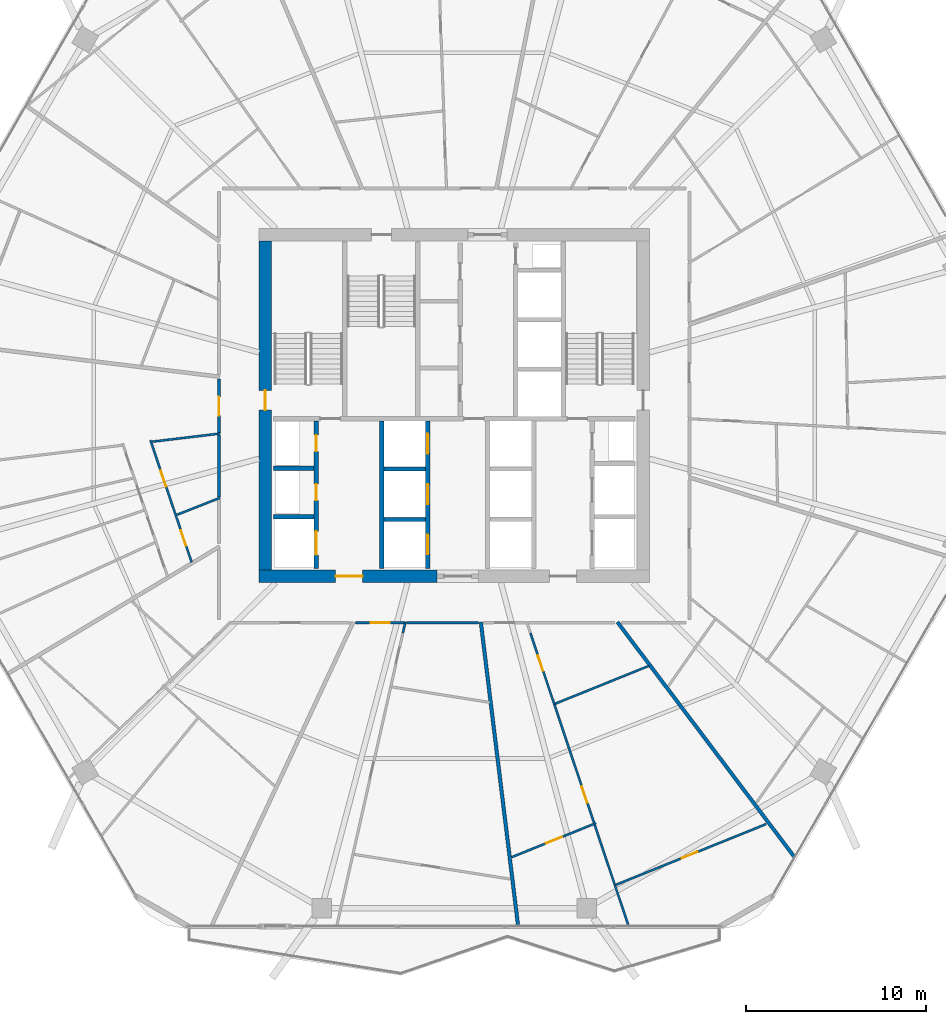
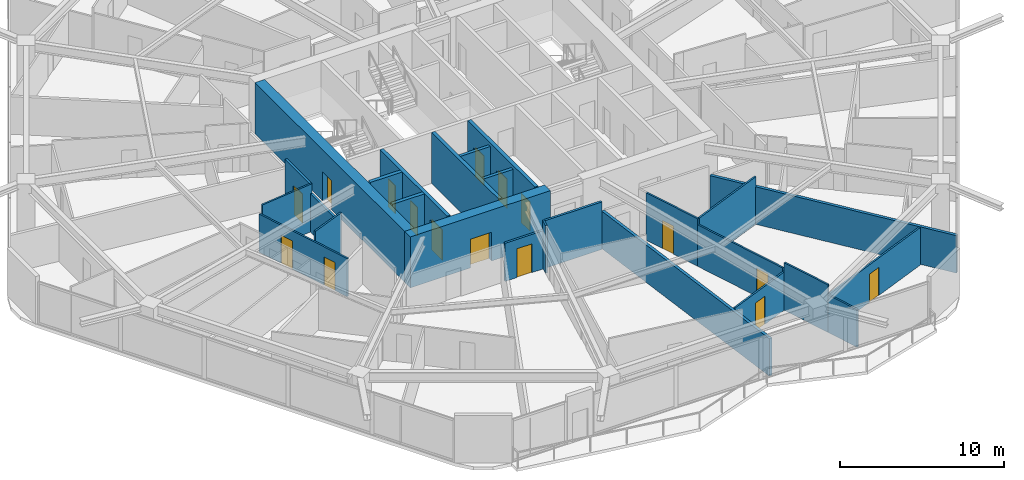
# One storey, part 25 of 33: 26 walls, 16 doors, 16 openings.
"""IFC4 building model written with IfcOpenShell, lengths in metres."""

from ifc_helpers import new_model, si_unit, direction, frame, frame_2d, origin, place, context, subcontext, project, spatial, rectangle, extrude, material, layer, layer_set, type_object, element, fill, save


model = new_model("IFC4")

# Units and contexts
model_context = context("Model", 3, precision=1e-05, world=origin(), true_north=direction((0.0, 1.0)))
body_context = subcontext(model_context, "Body", "Model", "MODEL_VIEW")
ifc_project = project(units=[si_unit("LENGTHUNIT", "METRE"), si_unit("AREAUNIT", "SQUARE_METRE"), si_unit("VOLUMEUNIT", "CUBIC_METRE"), si_unit("PLANEANGLEUNIT", "RADIAN"), si_unit("MASSUNIT", "GRAM", prefix="KILO")], contexts=[model_context])

# Site, building, storey
site_placement = place(None, origin())
site = spatial("IfcSite", under=ifc_project, at=site_placement, CompositionType="ELEMENT")
building_placement = place(site_placement, origin())
building = spatial("IfcBuilding", under=site, at=building_placement, Name="Zuhravey Tower", CompositionType="ELEMENT")
storey_placement = place(building_placement, frame((0.0, 0.0, 103.800048828125)))
storey = spatial("IfcBuildingStorey", under=building, at=storey_placement, Name="L25", CompositionType="ELEMENT", Elevation=103.800048828125)

# Wall, opening, door
ifc_material_1 = material(Name="Concrete C60/75", Category="concrete")
ifc_layer_1 = layer(ifc_material_1, 0.699951171875)
ifc_layer_set_1 = layer_set([ifc_layer_1], Name="Concrete C60/75")
wall_type_1 = type_object("IfcWallType", Name="Core Shear Wall 700", PredefinedType="SHEAR", material=ifc_layer_set_1)
wall_1_placement = place(storey_placement, frame((25.14990234375, 22.5, 0.0), z_axis=(0.0, 0.0, 1.0), x_axis=(1.0, 0.0, 0.0)))
wall_1 = element("IfcWall", 1, at=wall_1_placement, inside=storey, type_object=wall_type_1, Name="L25 South-West Core Shear Wall CW70", PredefinedType="SHEAR", context=body_context, shape_type="SweptSolid", body=[
    extrude(rectangle(XDim=9.900146484375, YDim=0.699951171875, at=frame_2d((4.9501953125, 0.0))), origin(), (0.0, 0.0, 1.0), 3.800048828125),
])
opening_1_placement = place(wall_1_placement, frame((4.25, 0.0, 0.0)))
opening_1 = element("IfcOpeningElement", 2, at=opening_1_placement, cuts=wall_1, Name="Opening FFD1", PredefinedType="OPENING", context=body_context, shape_type="SweptSolid", body=[
    extrude(rectangle(XDim=1.5, YDim=2.14990234375, at=frame_2d((0.75, 1.074951171875))), frame((0.0, 0.362060546875, 0.0), z_axis=(0.0, -1.0, 0.0), x_axis=(1.0, 0.0, 0.0)), (0.0, 0.0, 1.0), 0.723876953125),
])
ifc_material_2 = material(Name="Galvanised fire-rated steel leaf", Category="steel")
door_type_1 = type_object("IfcDoorType", Name="Firefighting Lobby Double Door 1500x2150", OperationType="DOUBLE_DOOR_SINGLE_SWING", PredefinedType="DOOR", material=ifc_material_2)
door_1_placement = place(opening_1_placement, origin())
door_1 = element("IfcDoor", 3, at=door_1_placement, inside=storey, type_object=door_type_1, Name="L25 Firefighting Lobby West Door", OperationType="DOUBLE_DOOR_SINGLE_SWING", OverallHeight=2.14990234375, OverallWidth=1.5, PredefinedType="DOOR", context=body_context, shape_type="SweptSolid", body=[
    extrude(rectangle(XDim=1.5, YDim=2.14990234375, at=frame_2d((0.75, 1.074951171875))), frame((0.0, 0.02490234375, 0.0), z_axis=(0.0, -1.0, 0.0), x_axis=(1.0, 0.0, 0.0)), (0.0, 0.0, 1.0), 0.050048828125),
])
fill(opening_1, door_1)

wall_2_placement = place(storey_placement, frame((25.5, 22.85009765625, 0.0), z_axis=(0.0, 0.0, 1.0), x_axis=(0.0, 1.0, 0.0)))
wall_2 = element("IfcWall", 4, at=wall_2_placement, inside=storey, type_object=wall_type_1, Name="L25 West Core Shear Wall CW70", PredefinedType="SHEAR", context=body_context, shape_type="SweptSolid", body=[
    extrude(rectangle(XDim=18.2998046875, YDim=0.699951171875, at=frame_2d((9.14990234375, 0.0))), origin(), (0.0, 0.0, 1.0), 3.800048828125),
])
opening_2_placement = place(wall_2_placement, frame((8.89990234375, 0.0, 0.0)))
opening_2 = element("IfcOpeningElement", 5, at=opening_2_placement, cuts=wall_2, Name="Opening STD1", PredefinedType="OPENING", context=body_context, shape_type="SweptSolid", body=[
    extrude(rectangle(XDim=1.10009765625, YDim=2.14990234375, at=frame_2d((0.550048828125, 1.074951171875))), frame((0.0, 0.362060546875, 0.0), z_axis=(0.0, -1.0, 0.0), x_axis=(1.0, 0.0, 0.0)), (0.0, 0.0, 1.0), 0.723876953125),
])
door_type_2 = type_object("IfcDoorType", Name="Protected Stair Fire Door 1100x2150", OperationType="NOTDEFINED", PredefinedType="USERDEFINED", material=ifc_material_2)
door_2_placement = place(opening_2_placement, frame((1.10009765625, 0.0, 0.0), z_axis=(0.0, 0.0, 1.0), x_axis=(-1.0, 0.0, 0.0)))
door_2 = element("IfcDoor", 6, at=door_2_placement, inside=storey, type_object=door_type_2, Name="L25 Stair ST1 Door", ObjectType="EXITDOOR", OperationType="SINGLE_SWING_RIGHT", OverallHeight=2.14990234375, OverallWidth=1.10009765625, PredefinedType="USERDEFINED", context=body_context, shape_type="SweptSolid", body=[
    extrude(rectangle(XDim=1.10009765625, YDim=2.14990234375, at=frame_2d((0.550048828125, 1.074951171875))), frame((0.0, 0.02490234375, 0.0), z_axis=(0.0, -1.0, 0.0), x_axis=(1.0, 0.0, 0.0)), (0.0, 0.0, 1.0), 0.050048828125),
])
fill(opening_2, door_2)

ifc_material_3 = material(Name="Gypsum fire-rated stud partition")
ifc_layer_2 = layer(ifc_material_3, 0.159912109375)
ifc_layer_set_2 = layer_set([ifc_layer_2], Name="Gypsum fire-rated stud partition")
wall_type_2 = type_object("IfcWallType", Name="Corridor Fire Partition 160", PredefinedType="PARTITIONING", material=ifc_layer_set_2)
wall_3_placement = place(storey_placement, frame((22.919921875, 33.47021484375, 0.0), z_axis=(0.0, 0.0, 1.0), x_axis=(0.0, -1.0, 0.0)))
wall_3 = element("IfcWall", 7, at=wall_3_placement, inside=storey, type_object=wall_type_2, Name="L25 IW16 Partition 046", PredefinedType="PARTITIONING", context=body_context, shape_type="SweptSolid", body=[
    extrude(rectangle(XDim=3.014404296875, YDim=0.159912109375, at=frame_2d((1.50732421875, 0.0))), origin(), (0.0, 0.0, 1.0), 3.550048828125),
])
opening_3_placement = place(wall_3_placement, frame((0.982177734375, 0.0, 0.0)))
opening_3 = element("IfcOpeningElement", 8, at=opening_3_placement, cuts=wall_3, Name="Opening APD1", PredefinedType="OPENING", context=body_context, shape_type="SweptSolid", body=[
    extrude(rectangle(XDim=1.050048828125, YDim=2.14990234375, at=frame_2d((0.52490234375, 1.074951171875))), frame((0.0, 0.092041015625, 0.0), z_axis=(0.0, -1.0, 0.0), x_axis=(1.0, 0.0, 0.0)), (0.0, 0.0, 1.0), 0.183837890625),
])
ifc_material_4 = material(Name="Solid-core oak fire-rated leaf")
door_type_3 = type_object("IfcDoorType", Name="Apartment Entrance Fire Door 1050x2150", OperationType="NOTDEFINED", PredefinedType="DOOR", material=ifc_material_4)
door_3_placement = place(opening_3_placement, frame((1.050048828125, 0.0, 0.0), z_axis=(0.0, 0.0, 1.0), x_axis=(-1.0, 0.0, 0.0)))
door_3 = element("IfcDoor", 9, at=door_3_placement, inside=storey, type_object=door_type_3, Name="L25 Door 046.1", OperationType="SINGLE_SWING_RIGHT", OverallHeight=2.14990234375, OverallWidth=1.050048828125, PredefinedType="DOOR", context=body_context, shape_type="SweptSolid", body=[
    extrude(rectangle(XDim=1.050048828125, YDim=2.14990234375, at=frame_2d((0.52490234375, 1.074951171875))), frame((0.0, 0.02490234375, 0.0), z_axis=(0.0, -1.0, 0.0), x_axis=(1.0, 0.0, 0.0)), (0.0, 0.0, 1.0), 0.050048828125),
])
fill(opening_3, door_3)

wall_4_placement = place(storey_placement, frame((30.516845703125, 19.919921875, 0.0), z_axis=(0.0, 0.0, 1.0), x_axis=(1.0, 0.0, 0.0)))
wall_4 = element("IfcWall", 10, at=wall_4_placement, inside=storey, type_object=wall_type_2, Name="L25 IW16 Partition 056", PredefinedType="PARTITIONING", context=body_context, shape_type="SweptSolid", body=[
    extrude(rectangle(XDim=2.73583984375, YDim=0.159912109375, at=frame_2d((1.367919921875, 0.0))), origin(), (0.0, 0.0, 1.0), 2.849853515625),
])
opening_4_placement = place(wall_4_placement, frame((0.843017578125, 0.0, 0.0)))
opening_4 = element("IfcOpeningElement", 11, at=opening_4_placement, cuts=wall_4, Name="Opening APD1", PredefinedType="OPENING", context=body_context, shape_type="SweptSolid", body=[
    extrude(rectangle(XDim=1.050048828125, YDim=2.14990234375, at=frame_2d((0.52490234375, 1.074951171875))), frame((0.0, 0.092041015625, 0.0), z_axis=(0.0, -1.0, 0.0), x_axis=(1.0, 0.0, 0.0)), (0.0, 0.0, 1.0), 0.183837890625),
])
door_4_placement = place(opening_4_placement, frame((1.050048828125, 0.0, 0.0), z_axis=(0.0, 0.0, 1.0), x_axis=(-1.0, 0.0, 0.0)))
door_4 = element("IfcDoor", 12, at=door_4_placement, inside=storey, type_object=door_type_3, Name="L25 Door 056.1", OperationType="SINGLE_SWING_RIGHT", OverallHeight=2.14990234375, OverallWidth=1.050048828125, PredefinedType="DOOR", context=body_context, shape_type="SweptSolid", body=[
    extrude(rectangle(XDim=1.050048828125, YDim=2.14990234375, at=frame_2d((0.52490234375, 1.074951171875))), frame((0.0, 0.02490234375, 0.0), z_axis=(0.0, -1.0, 0.0), x_axis=(1.0, 0.0, 0.0)), (0.0, 0.0, 1.0), 0.050048828125),
])
fill(opening_4, door_4)

# Walls
wall_5_placement = place(storey_placement, frame((22.919921875, 30.3671875, 0.0), z_axis=(0.0, 0.0, 1.0), x_axis=(0.0, -1.0, 0.0)))
element("IfcWall", 13, at=wall_5_placement, inside=storey, type_object=wall_type_2, Name="L25 IW16 Partition 144", PredefinedType="PARTITIONING", context=body_context, shape_type="SweptSolid", body=[
    extrude(rectangle(XDim=3.44677734375, YDim=0.159912109375, at=frame_2d((1.723388671875, 0.0))), origin(), (0.0, 0.0, 1.0), 2.849853515625),
])
wall_6_placement = place(storey_placement, frame((33.343017578125, 19.919921875, 0.0), z_axis=(0.0, 0.0, 1.0), x_axis=(1.0, 0.0, 0.0)))
element("IfcWall", 14, at=wall_6_placement, inside=storey, type_object=wall_type_2, Name="L25 IW16 Partition 147", PredefinedType="PARTITIONING", context=body_context, shape_type="SweptSolid", body=[
    extrude(rectangle(XDim=4.01318359375, YDim=0.159912109375, at=frame_2d((2.006591796875, 0.0))), origin(), (0.0, 0.0, 1.0), 3.550048828125),
])
ifc_material_5 = material(Name="Concrete C50/60", Category="concrete")
ifc_layer_3 = layer(ifc_material_5, 0.25)
ifc_layer_set_3 = layer_set([ifc_layer_3], Name="Concrete C50/60")
wall_type_3 = type_object("IfcWallType", Name="Firefighting Shaft & Stair Wall 250", PredefinedType="SOLIDWALL", material=ifc_layer_set_3)
for number, where, z_axis, x_axis, name in (
    (15, (25.949951171875, 25.824951171875, 0.0), (0.0, 0.0, 1.0), (1.0, 0.0, 0.0), "L25 FW25 Shaft Wall 009"),
    (16, (25.949951171875, 28.52490234375, 0.0), (0.0, 0.0, 1.0), (1.0, 0.0, 0.0), "L25 FW25 Shaft Wall 010"),
):
    element("IfcWall", number, at=place(storey_placement, frame(where, z_axis=z_axis, x_axis=x_axis)), inside=storey, type_object=wall_type_3, Name=name, PredefinedType="SOLIDWALL", context=body_context, shape_type="SweptSolid", body=[
        extrude(rectangle(XDim=2.25, YDim=0.25, at=frame_2d((1.125, 0.0))), origin(), (0.0, 0.0, 1.0), 3.800048828125),
    ])

# Wall, openings, doors
wall_7_placement = place(storey_placement, frame((28.324951171875, 22.949951171875, 0.0), z_axis=(0.0, 0.0, 1.0), x_axis=(0.0, 1.0, 0.0)))
wall_7 = element("IfcWall", 17, at=wall_7_placement, inside=storey, type_object=wall_type_3, Name="L25 FW25 Shaft Wall 011", PredefinedType="SOLIDWALL", context=body_context, shape_type="SweptSolid", body=[
    extrude(rectangle(XDim=8.199951171875, YDim=0.25, at=frame_2d((4.10009765625, 0.0))), origin(), (0.0, 0.0, 1.0), 3.800048828125),
])
opening_5_placement = place(wall_7_placement, frame((0.75, 0.0, 0.0)))
opening_5 = element("IfcOpeningElement", 18, at=opening_5_placement, cuts=wall_7, Name="Opening LD2", PredefinedType="OPENING", context=body_context, shape_type="SweptSolid", body=[
    extrude(rectangle(XDim=1.300048828125, YDim=2.300048828125, at=frame_2d((0.64990234375, 1.14990234375))), frame((0.0, 0.136962890625, 0.0), z_axis=(0.0, -1.0, 0.0), x_axis=(1.0, 0.0, 0.0)), (0.0, 0.0, 1.0), 0.27392578125),
])
opening_6_placement = place(wall_7_placement, frame((3.780029296875, 0.0, 0.0)))
opening_6 = element("IfcOpeningElement", 19, at=opening_6_placement, cuts=wall_7, Name="Opening RSD1", PredefinedType="OPENING", context=body_context, shape_type="SweptSolid", body=[
    extrude(rectangle(XDim=0.89990234375, YDim=2.10009765625, at=frame_2d((0.449951171875, 1.050048828125))), frame((0.0, 0.136962890625, 0.0), z_axis=(0.0, -1.0, 0.0), x_axis=(1.0, 0.0, 0.0)), (0.0, 0.0, 1.0), 0.27392578125),
])
opening_7_placement = place(wall_7_placement, frame((6.5, 0.0, 0.0)))
opening_7 = element("IfcOpeningElement", 20, at=opening_7_placement, cuts=wall_7, Name="Opening RSD1", PredefinedType="OPENING", context=body_context, shape_type="SweptSolid", body=[
    extrude(rectangle(XDim=0.89990234375, YDim=2.10009765625, at=frame_2d((0.449951171875, 1.050048828125))), frame((0.0, 0.136962890625, 0.0), z_axis=(0.0, -1.0, 0.0), x_axis=(1.0, 0.0, 0.0)), (0.0, 0.0, 1.0), 0.27392578125),
])
ifc_material_6 = material(Name="Brushed stainless steel", Category="steel")
door_type_4 = type_object("IfcDoorType", Name="Freight & Stretcher Lift Sliding Door 1300x2300", OperationType="DOUBLE_DOOR_SLIDING", PredefinedType="DOOR", material=ifc_material_6)
door_5_placement = place(opening_5_placement, frame((1.300048828125, 0.0, 0.0), z_axis=(0.0, 0.0, 1.0), x_axis=(-1.0, 0.0, 0.0)))
door_5 = element("IfcDoor", 21, at=door_5_placement, inside=storey, type_object=door_type_4, Name="L25 Lift FF1 Landing Door", OperationType="DOUBLE_DOOR_SLIDING", OverallHeight=2.300048828125, OverallWidth=1.300048828125, PredefinedType="DOOR", context=body_context, shape_type="SweptSolid", body=[
    extrude(rectangle(XDim=1.300048828125, YDim=2.300048828125, at=frame_2d((0.64990234375, 1.14990234375))), frame((0.0, 0.02490234375, 0.0), z_axis=(0.0, -1.0, 0.0), x_axis=(1.0, 0.0, 0.0)), (0.0, 0.0, 1.0), 0.050048828125),
])
fill(opening_5, door_5)
ifc_material_7 = material(Name="Galvanised fire-rated steel access leaf", Category="steel")
door_type_5 = type_object("IfcDoorType", Name="Riser & Shaft Access Fire Door 900x2100", OperationType="NOTDEFINED", PredefinedType="DOOR", material=ifc_material_7)
door_6_placement = place(opening_6_placement, frame((0.89990234375, 0.0, 0.0), z_axis=(0.0, 0.0, 1.0), x_axis=(-1.0, 0.0, 0.0)))
door_6 = element("IfcDoor", 22, at=door_6_placement, inside=storey, type_object=door_type_5, Name="L25 Electrical Riser Door", OperationType="SINGLE_SWING_RIGHT", OverallHeight=2.10009765625, OverallWidth=0.89990234375, PredefinedType="DOOR", context=body_context, shape_type="SweptSolid", body=[
    extrude(rectangle(XDim=0.89990234375, YDim=2.10009765625, at=frame_2d((0.449951171875, 1.050048828125))), frame((0.0, 0.02490234375, 0.0), z_axis=(0.0, -1.0, 0.0), x_axis=(1.0, 0.0, 0.0)), (0.0, 0.0, 1.0), 0.050048828125),
])
fill(opening_6, door_6)
door_7_placement = place(opening_7_placement, frame((0.89990234375, 0.0, 0.0), z_axis=(0.0, 0.0, 1.0), x_axis=(-1.0, 0.0, 0.0)))
door_7 = element("IfcDoor", 23, at=door_7_placement, inside=storey, type_object=door_type_5, Name="L25 Smoke Shaft Access Door", OperationType="SINGLE_SWING_LEFT", OverallHeight=2.10009765625, OverallWidth=0.89990234375, PredefinedType="DOOR", context=body_context, shape_type="SweptSolid", body=[
    extrude(rectangle(XDim=0.89990234375, YDim=2.10009765625, at=frame_2d((0.449951171875, 1.050048828125))), frame((0.0, 0.02490234375, 0.0), z_axis=(0.0, -1.0, 0.0), x_axis=(1.0, 0.0, 0.0)), (0.0, 0.0, 1.0), 0.050048828125),
])
fill(opening_7, door_7)

# Wall
wall_8_placement = place(storey_placement, frame((31.97509765625, 22.949951171875, 0.0), z_axis=(0.0, 0.0, 1.0), x_axis=(0.0, 1.0, 0.0)))
element("IfcWall", 24, at=wall_8_placement, inside=storey, type_object=wall_type_3, Name="L25 FW25 Shaft Wall 012", PredefinedType="SOLIDWALL", context=body_context, shape_type="SweptSolid", body=[
    extrude(rectangle(XDim=8.199951171875, YDim=0.25, at=frame_2d((4.10009765625, 0.0))), origin(), (0.0, 0.0, 1.0), 3.800048828125),
])

# Wall, openings, doors
wall_9_placement = place(storey_placement, frame((34.52490234375, 22.949951171875, 0.0), z_axis=(0.0, 0.0, 1.0), x_axis=(0.0, 1.0, 0.0)))
wall_9 = element("IfcWall", 25, at=wall_9_placement, inside=storey, type_object=wall_type_3, Name="L25 FW25 Shaft Wall 013", PredefinedType="SOLIDWALL", context=body_context, shape_type="SweptSolid", body=[
    extrude(rectangle(XDim=8.199951171875, YDim=0.25, at=frame_2d((4.10009765625, 0.0))), origin(), (0.0, 0.0, 1.0), 3.800048828125),
])
opening_8_placement = place(wall_9_placement, frame((0.77490234375, 0.0, 0.0)))
opening_8 = element("IfcOpeningElement", 26, at=opening_8_placement, cuts=wall_9, Name="Opening LD1", PredefinedType="OPENING", context=body_context, shape_type="SweptSolid", body=[
    extrude(rectangle(XDim=1.10009765625, YDim=2.199951171875, at=frame_2d((0.550048828125, 1.10009765625))), frame((0.0, 0.136962890625, 0.0), z_axis=(0.0, -1.0, 0.0), x_axis=(1.0, 0.0, 0.0)), (0.0, 0.0, 1.0), 0.27392578125),
])
opening_9_placement = place(wall_9_placement, frame((3.574951171875, 0.0, 0.0)))
opening_9 = element("IfcOpeningElement", 27, at=opening_9_placement, cuts=wall_9, Name="Opening LD1", PredefinedType="OPENING", context=body_context, shape_type="SweptSolid", body=[
    extrude(rectangle(XDim=1.10009765625, YDim=2.199951171875, at=frame_2d((0.550048828125, 1.10009765625))), frame((0.0, 0.136962890625, 0.0), z_axis=(0.0, -1.0, 0.0), x_axis=(1.0, 0.0, 0.0)), (0.0, 0.0, 1.0), 0.27392578125),
])
opening_10_placement = place(wall_9_placement, frame((6.375, 0.0, 0.0)))
opening_10 = element("IfcOpeningElement", 28, at=opening_10_placement, cuts=wall_9, Name="Opening LD1", PredefinedType="OPENING", context=body_context, shape_type="SweptSolid", body=[
    extrude(rectangle(XDim=1.10009765625, YDim=2.199951171875, at=frame_2d((0.550048828125, 1.10009765625))), frame((0.0, 0.136962890625, 0.0), z_axis=(0.0, -1.0, 0.0), x_axis=(1.0, 0.0, 0.0)), (0.0, 0.0, 1.0), 0.27392578125),
])
door_type_6 = type_object("IfcDoorType", Name="Lift Landing Sliding Door 1100x2200", OperationType="DOUBLE_DOOR_SLIDING", PredefinedType="DOOR", material=ifc_material_6)
door_8_placement = place(opening_8_placement, frame((1.10009765625, 0.0, 0.0), z_axis=(0.0, 0.0, 1.0), x_axis=(-1.0, 0.0, 0.0)))
door_8 = element("IfcDoor", 29, at=door_8_placement, inside=storey, type_object=door_type_6, Name="L25 Lift PL1 Landing Door", OperationType="DOUBLE_DOOR_SLIDING", OverallHeight=2.199951171875, OverallWidth=1.10009765625, PredefinedType="DOOR", context=body_context, shape_type="SweptSolid", body=[
    extrude(rectangle(XDim=1.10009765625, YDim=2.199951171875, at=frame_2d((0.550048828125, 1.10009765625))), frame((0.0, 0.02490234375, 0.0), z_axis=(0.0, -1.0, 0.0), x_axis=(1.0, 0.0, 0.0)), (0.0, 0.0, 1.0), 0.050048828125),
])
fill(opening_8, door_8)
door_9_placement = place(opening_9_placement, frame((1.10009765625, 0.0, 0.0), z_axis=(0.0, 0.0, 1.0), x_axis=(-1.0, 0.0, 0.0)))
door_9 = element("IfcDoor", 30, at=door_9_placement, inside=storey, type_object=door_type_6, Name="L25 Lift PL2 Landing Door", OperationType="DOUBLE_DOOR_SLIDING", OverallHeight=2.199951171875, OverallWidth=1.10009765625, PredefinedType="DOOR", context=body_context, shape_type="SweptSolid", body=[
    extrude(rectangle(XDim=1.10009765625, YDim=2.199951171875, at=frame_2d((0.550048828125, 1.10009765625))), frame((0.0, 0.02490234375, 0.0), z_axis=(0.0, -1.0, 0.0), x_axis=(1.0, 0.0, 0.0)), (0.0, 0.0, 1.0), 0.050048828125),
])
fill(opening_9, door_9)
door_10_placement = place(opening_10_placement, frame((1.10009765625, 0.0, 0.0), z_axis=(0.0, 0.0, 1.0), x_axis=(-1.0, 0.0, 0.0)))
door_10 = element("IfcDoor", 31, at=door_10_placement, inside=storey, type_object=door_type_6, Name="L25 Lift PL3 Landing Door", OperationType="DOUBLE_DOOR_SLIDING", OverallHeight=2.199951171875, OverallWidth=1.10009765625, PredefinedType="DOOR", context=body_context, shape_type="SweptSolid", body=[
    extrude(rectangle(XDim=1.10009765625, YDim=2.199951171875, at=frame_2d((0.550048828125, 1.10009765625))), frame((0.0, 0.02490234375, 0.0), z_axis=(0.0, -1.0, 0.0), x_axis=(1.0, 0.0, 0.0)), (0.0, 0.0, 1.0), 0.050048828125),
])
fill(opening_10, door_10)

# Walls
ifc_material_8 = material(Name="Gypsum double-stud party assembly")
ifc_layer_4 = layer(ifc_material_8, 0.199951171875)
ifc_layer_set_4 = layer_set([ifc_layer_4], Name="Gypsum double-stud party assembly")
wall_type_4 = type_object("IfcWallType", Name="Inter-Tenancy Party Wall 200", PredefinedType="PARTITIONING", material=ifc_layer_set_4)
wall_10_placement = place(storey_placement, frame((37.478271484375, 19.9599609375, 0.0), z_axis=(0.0, 0.0, 1.0), x_axis=(0.121873230726, -0.992545674331, 0.0)))
element("IfcWall", 32, at=wall_10_placement, inside=storey, type_object=wall_type_4, Name="L25 IW20 Partition 123", PredefinedType="PARTITIONING", context=body_context, shape_type="SweptSolid", body=[
    extrude(rectangle(XDim=17.04541015625, YDim=0.199951171875, at=frame_2d((8.522705078125, 0.0))), origin(), (0.0, 0.0, 1.0), 2.800048828125),
])
wall_11_placement = place(storey_placement, frame((45.07275390625, 19.9599609375, 0.0), z_axis=(0.0, 0.0, 1.0), x_axis=(0.60181525353, -0.798635336445, 0.0)))
element("IfcWall", 33, at=wall_11_placement, inside=storey, type_object=wall_type_4, Name="L25 IW20 Partition 127", PredefinedType="PARTITIONING", context=body_context, shape_type="SweptSolid", body=[
    extrude(rectangle(XDim=16.383544921875, YDim=0.199951171875, at=frame_2d((8.19189453125, 0.0))), origin(), (0.0, 0.0, 1.0), 2.800048828125),
])
ifc_material_9 = material(Name="Gypsum acoustic stud assembly")
ifc_layer_5 = layer(ifc_material_9, 0.219970703125)
ifc_layer_set_5 = layer_set([ifc_layer_5], Name="Gypsum acoustic stud assembly")
wall_type_5 = type_object("IfcWallType", Name="School Acoustic Compartment Wall 220", PredefinedType="PARTITIONING", material=ifc_layer_set_5)
for number, where, z_axis, x_axis, name in (
    (34, (32.10791015625, 25.675048828125, 0.0), (0.0, 0.0, 1.0), (1.0, 0.0, 0.0), "L25 IW22 Partition 080"),
    (35, (32.10791015625, 28.47509765625, 0.0), (0.0, 0.0, 1.0), (1.0, 0.0, 0.0), "L25 IW22 Partition 081"),
):
    element("IfcWall", number, at=place(storey_placement, frame(where, z_axis=z_axis, x_axis=x_axis)), inside=storey, type_object=wall_type_5, Name=name, PredefinedType="PARTITIONING", context=body_context, shape_type="SweptSolid", body=[
        extrude(rectangle(XDim=2.2841796875, YDim=0.219970703125, at=frame_2d((1.14208984375, 0.0))), origin(), (0.0, 0.0, 1.0), 3.550048828125),
    ])

# Wall, openings, doors
ifc_material_10 = material(Name="Gypsum metal-stud partition")
ifc_layer_6 = layer(ifc_material_10, 0.1201171875)
ifc_layer_set_6 = layer_set([ifc_layer_6], Name="Gypsum metal-stud partition")
wall_type_6 = type_object("IfcWallType", Name="Unit Internal Partition 120", PredefinedType="PARTITIONING", material=ifc_layer_set_6)
wall_12_placement = place(storey_placement, frame((19.102783203125, 30.079833984375, 0.0), z_axis=(0.0, 0.0, 1.0), x_axis=(0.319961945867, -0.947430394909, 0.0)))
wall_12 = element("IfcWall", 36, at=wall_12_placement, inside=storey, type_object=wall_type_6, Name="L25 IW12 Partition 044", PredefinedType="PARTITIONING", context=body_context, shape_type="SweptSolid", body=[
    extrude(rectangle(XDim=7.174072265625, YDim=0.1201171875, at=frame_2d((3.5869140625, 0.0))), origin(), (0.0, 0.0, 1.0), 2.849853515625),
])
opening_11_placement = place(wall_12_placement, frame((1.7822265625, 0.0, 0.0)))
opening_11 = element("IfcOpeningElement", 37, at=opening_11_placement, cuts=wall_12, Name="Opening IND1", PredefinedType="OPENING", context=body_context, shape_type="SweptSolid", body=[
    extrude(rectangle(XDim=0.949951171875, YDim=2.10009765625, at=frame_2d((0.47509765625, 1.050048828125))), frame((0.0, 0.072021484375, 0.0), z_axis=(0.0, -1.0, 0.0), x_axis=(1.0, 0.0, 0.0)), (0.0, 0.0, 1.0), 0.14404296875),
])
opening_12_placement = place(wall_12_placement, frame((5.2919921875, 0.0, 0.0)))
opening_12 = element("IfcOpeningElement", 38, at=opening_12_placement, cuts=wall_12, Name="Opening WCD1", PredefinedType="OPENING", context=body_context, shape_type="SweptSolid", body=[
    extrude(rectangle(XDim=0.89990234375, YDim=2.10009765625, at=frame_2d((0.449951171875, 1.050048828125))), frame((0.0, 0.072021484375, 0.0), z_axis=(0.0, -1.0, 0.0), x_axis=(1.0, 0.0, 0.0)), (0.0, 0.0, 1.0), 0.14404296875),
])
ifc_material_11 = material(Name="Moisture-resistant timber leaf", Category="wood")
door_type_7 = type_object("IfcDoorType", Name="Bathroom & WC Internal Door 900x2100", OperationType="NOTDEFINED", PredefinedType="DOOR", material=ifc_material_11)
door_11_placement = place(opening_12_placement, origin())
door_11 = element("IfcDoor", 39, at=door_11_placement, inside=storey, type_object=door_type_7, Name="Apartment L25-06 Bathroom Door", OperationType="SINGLE_SWING_LEFT", OverallHeight=2.10009765625, OverallWidth=0.89990234375, PredefinedType="DOOR", context=body_context, shape_type="SweptSolid", body=[
    extrude(rectangle(XDim=0.89990234375, YDim=2.10009765625, at=frame_2d((0.449951171875, 1.050048828125))), frame((0.0, 0.02490234375, 0.0), z_axis=(0.0, -1.0, 0.0), x_axis=(1.0, 0.0, 0.0)), (0.0, 0.0, 1.0), 0.050048828125),
])
fill(opening_12, door_11)
ifc_material_12 = material(Name="Painted engineered timber leaf", Category="wood")
door_type_8 = type_object("IfcDoorType", Name="Internal Room & Bedroom Door 950x2100", OperationType="NOTDEFINED", PredefinedType="DOOR", material=ifc_material_12)
door_12_placement = place(opening_11_placement, origin())
door_12 = element("IfcDoor", 40, at=door_12_placement, inside=storey, type_object=door_type_8, Name="Apartment L25-06 Kitchen Door", OperationType="SINGLE_SWING_RIGHT", OverallHeight=2.10009765625, OverallWidth=0.949951171875, PredefinedType="DOOR", context=body_context, shape_type="SweptSolid", body=[
    extrude(rectangle(XDim=0.949951171875, YDim=2.10009765625, at=frame_2d((0.47509765625, 1.050048828125))), frame((0.0, 0.02490234375, 0.0), z_axis=(0.0, -1.0, 0.0), x_axis=(1.0, 0.0, 0.0)), (0.0, 0.0, 1.0), 0.050048828125),
])
fill(opening_11, door_12)

# Wall, opening, door
wall_13_placement = place(storey_placement, frame((39.205078125, 6.888916015625, 0.0), z_axis=(0.0, 0.0, 1.0), x_axis=(0.927186587095, 0.3745998301, 0.0)))
wall_13 = element("IfcWall", 41, at=wall_13_placement, inside=storey, type_object=wall_type_6, Name="L25 IW12 Partition 057", PredefinedType="PARTITIONING", context=body_context, shape_type="SweptSolid", body=[
    extrude(rectangle(XDim=5.04638671875, YDim=0.1201171875, at=frame_2d((2.523193359375, 0.0))), origin(), (0.0, 0.0, 1.0), 2.849853515625),
])
opening_13_placement = place(wall_13_placement, frame((2.048095703125, 0.0, 0.0)))
opening_13 = element("IfcOpeningElement", 42, at=opening_13_placement, cuts=wall_13, Name="Opening IND1", PredefinedType="OPENING", context=body_context, shape_type="SweptSolid", body=[
    extrude(rectangle(XDim=0.949951171875, YDim=2.10009765625, at=frame_2d((0.47509765625, 1.050048828125))), frame((0.0, 0.072021484375, 0.0), z_axis=(0.0, -1.0, 0.0), x_axis=(1.0, 0.0, 0.0)), (0.0, 0.0, 1.0), 0.14404296875),
])
door_13_placement = place(opening_13_placement, frame((0.949951171875, 0.0, 0.0), z_axis=(0.0, 0.0, 1.0), x_axis=(-1.0, 0.0, 0.0)))
door_13 = element("IfcDoor", 43, at=door_13_placement, inside=storey, type_object=door_type_8, Name="Apartment L25-09 Family Study Door", OperationType="SINGLE_SWING_LEFT", OverallHeight=2.10009765625, OverallWidth=0.949951171875, PredefinedType="DOOR", context=body_context, shape_type="SweptSolid", body=[
    extrude(rectangle(XDim=0.949951171875, YDim=2.10009765625, at=frame_2d((0.47509765625, 1.050048828125))), frame((0.0, 0.02490234375, 0.0), z_axis=(0.0, -1.0, 0.0), x_axis=(1.0, 0.0, 0.0)), (0.0, 0.0, 1.0), 0.050048828125),
])
fill(opening_13, door_13)

wall_14_placement = place(storey_placement, frame((40.237548828125, 19.35009765625, 0.0), z_axis=(0.0, 0.0, 1.0), x_axis=(0.317607066426, -0.948222416607, 0.0)))
wall_14 = element("IfcWall", 44, at=wall_14_placement, inside=storey, type_object=wall_type_6, Name="L25 IW12 Partition 058", PredefinedType="PARTITIONING", context=body_context, shape_type="SweptSolid", body=[
    extrude(rectangle(XDim=4.19384765625, YDim=0.1201171875, at=frame_2d((2.096923828125, 0.0))), origin(), (0.0, 0.0, 1.0), 3.550048828125),
])
opening_14_placement = place(wall_14_placement, frame((1.311279296875, 0.0, 0.0)))
opening_14 = element("IfcOpeningElement", 45, at=opening_14_placement, cuts=wall_14, Name="Opening WCD1", PredefinedType="OPENING", context=body_context, shape_type="SweptSolid", body=[
    extrude(rectangle(XDim=0.89990234375, YDim=2.10009765625, at=frame_2d((0.449951171875, 1.050048828125))), frame((0.0, 0.072021484375, 0.0), z_axis=(0.0, -1.0, 0.0), x_axis=(1.0, 0.0, 0.0)), (0.0, 0.0, 1.0), 0.14404296875),
])
door_14_placement = place(opening_14_placement, origin())
door_14 = element("IfcDoor", 46, at=door_14_placement, inside=storey, type_object=door_type_7, Name="Apartment L25-09 Bathroom Door", OperationType="SINGLE_SWING_RIGHT", OverallHeight=2.10009765625, OverallWidth=0.89990234375, PredefinedType="DOOR", context=body_context, shape_type="SweptSolid", body=[
    extrude(rectangle(XDim=0.89990234375, YDim=2.10009765625, at=frame_2d((0.449951171875, 1.050048828125))), frame((0.0, 0.02490234375, 0.0), z_axis=(0.0, -1.0, 0.0), x_axis=(1.0, 0.0, 0.0)), (0.0, 0.0, 1.0), 0.050048828125),
])
fill(opening_14, door_14)

wall_15_placement = place(storey_placement, frame((41.569580078125, 15.373291015625, 0.0), z_axis=(0.0, 0.0, 1.0), x_axis=(0.317623415575, -0.948216940303, 0.0)))
wall_15 = element("IfcWall", 47, at=wall_15_placement, inside=storey, type_object=wall_type_6, Name="L25 IW12 Partition 059", PredefinedType="PARTITIONING", context=body_context, shape_type="SweptSolid", body=[
    extrude(rectangle(XDim=6.925537109375, YDim=0.1201171875, at=frame_2d((3.462890625, 0.0))), origin(), (0.0, 0.0, 1.0), 3.099853515625),
])
opening_15_placement = place(wall_15_placement, frame((4.809814453125, 0.0, 0.0)))
opening_15 = element("IfcOpeningElement", 48, at=opening_15_placement, cuts=wall_15, Name="Opening IND1", PredefinedType="OPENING", context=body_context, shape_type="SweptSolid", body=[
    extrude(rectangle(XDim=0.949951171875, YDim=2.10009765625, at=frame_2d((0.47509765625, 1.050048828125))), frame((0.0, 0.072021484375, 0.0), z_axis=(0.0, -1.0, 0.0), x_axis=(1.0, 0.0, 0.0)), (0.0, 0.0, 1.0), 0.14404296875),
])
door_15_placement = place(opening_15_placement, origin())
door_15 = element("IfcDoor", 49, at=door_15_placement, inside=storey, type_object=door_type_8, Name="Apartment L25-09 Home Office Door", OperationType="SINGLE_SWING_LEFT", OverallHeight=2.10009765625, OverallWidth=0.949951171875, PredefinedType="DOOR", context=body_context, shape_type="SweptSolid", body=[
    extrude(rectangle(XDim=0.949951171875, YDim=2.10009765625, at=frame_2d((0.47509765625, 1.050048828125))), frame((0.0, 0.02490234375, 0.0), z_axis=(0.0, -1.0, 0.0), x_axis=(1.0, 0.0, 0.0)), (0.0, 0.0, 1.0), 0.050048828125),
])
fill(opening_15, door_15)

# Wall
wall_16_placement = place(storey_placement, frame((43.812744140625, 8.67724609375, 0.0), z_axis=(0.0, 0.0, 1.0), x_axis=(0.317627204672, -0.948215671065, 0.0)))
element("IfcWall", 50, at=wall_16_placement, inside=storey, type_object=wall_type_6, Name="L25 IW12 Partition 060", PredefinedType="PARTITIONING", context=body_context, shape_type="SweptSolid", body=[
    extrude(rectangle(XDim=3.55810546875, YDim=0.1201171875, at=frame_2d((1.779052734375, 0.0))), origin(), (0.0, 0.0, 1.0), 3.550048828125),
])

# Wall, opening, door
wall_17_placement = place(storey_placement, frame((44.998046875, 5.3525390625, 0.0), z_axis=(0.0, 0.0, 1.0), x_axis=(0.927180810677, 0.374614127221, 0.0)))
wall_17 = element("IfcWall", 51, at=wall_17_placement, inside=storey, type_object=wall_type_6, Name="L25 IW12 Partition 061", PredefinedType="PARTITIONING", context=body_context, shape_type="SweptSolid", body=[
    extrude(rectangle(XDim=9.004150390625, YDim=0.1201171875, at=frame_2d((4.501953125, 0.0))), origin(), (0.0, 0.0, 1.0), 2.800048828125),
])
opening_16_placement = place(wall_17_placement, frame((3.94287109375, 0.0, 0.0)))
opening_16 = element("IfcOpeningElement", 52, at=opening_16_placement, cuts=wall_17, Name="Opening IND1", PredefinedType="OPENING", context=body_context, shape_type="SweptSolid", body=[
    extrude(rectangle(XDim=0.949951171875, YDim=2.10009765625, at=frame_2d((0.47509765625, 1.050048828125))), frame((0.0, 0.072021484375, 0.0), z_axis=(0.0, -1.0, 0.0), x_axis=(1.0, 0.0, 0.0)), (0.0, 0.0, 1.0), 0.14404296875),
])
door_16_placement = place(opening_16_placement, frame((0.949951171875, 0.0, 0.0), z_axis=(0.0, 0.0, 1.0), x_axis=(-1.0, 0.0, 0.0)))
door_16 = element("IfcDoor", 53, at=door_16_placement, inside=storey, type_object=door_type_8, Name="Apartment L25-09 Kitchen Door", OperationType="SINGLE_SWING_RIGHT", OverallHeight=2.10009765625, OverallWidth=0.949951171875, PredefinedType="DOOR", context=body_context, shape_type="SweptSolid", body=[
    extrude(rectangle(XDim=0.949951171875, YDim=2.10009765625, at=frame_2d((0.47509765625, 1.050048828125))), frame((0.0, 0.02490234375, 0.0), z_axis=(0.0, -1.0, 0.0), x_axis=(1.0, 0.0, 0.0)), (0.0, 0.0, 1.0), 0.050048828125),
])
fill(opening_16, door_16)

# Walls
wall_18_placement = place(storey_placement, frame((22.969970703125, 26.866943359375, 0.0), z_axis=(0.0, 0.0, 1.0), x_axis=(-0.930402504974, -0.366539464095, 0.0)))
element("IfcWall", 54, at=wall_18_placement, inside=storey, type_object=wall_type_6, Name="L25 IW12 Partition 106", PredefinedType="PARTITIONING", context=body_context, shape_type="SweptSolid", body=[
    extrude(rectangle(XDim=2.571044921875, YDim=0.1201171875, at=frame_2d((1.28564453125, 0.0))), origin(), (0.0, 0.0, 1.0), 3.550048828125),
])
wall_19_placement = place(storey_placement, frame((22.9697265625, 30.441650390625, 0.0), z_axis=(0.0, 0.0, 1.0), x_axis=(-0.992919730028, -0.118787245617, 0.0)))
element("IfcWall", 55, at=wall_19_placement, inside=storey, type_object=wall_type_6, Name="L25 IW12 Partition 110", PredefinedType="PARTITIONING", context=body_context, shape_type="SweptSolid", body=[
    extrude(rectangle(XDim=3.7919921875, YDim=0.1201171875, at=frame_2d((1.89599609375, 0.0))), origin(), (0.0, 0.0, 1.0), 3.550048828125),
])
wall_20_placement = place(storey_placement, frame((33.283447265625, 19.965087890625, 0.0), z_axis=(0.0, 0.0, 1.0), x_axis=(-0.220332181963, -0.975424896951, 0.0)))
element("IfcWall", 56, at=wall_20_placement, inside=storey, type_object=wall_type_6, Name="L25 IW12 Partition 120", PredefinedType="PARTITIONING", context=body_context, shape_type="SweptSolid", body=[
    extrude(rectangle(XDim=0.63037109375, YDim=0.1201171875, at=frame_2d((0.315185546875, 0.0))), origin(), (0.0, 0.0, 1.0), 3.550048828125),
])
wall_21_placement = place(storey_placement, frame((44.94287109375, 5.303466796875, 0.0), z_axis=(0.0, 0.0, 1.0), x_axis=(0.317697926169, -0.948191978297, 0.0)))
element("IfcWall", 57, at=wall_21_placement, inside=storey, type_object=wall_type_6, Name="L25 IW12 Partition 125", PredefinedType="PARTITIONING", context=body_context, shape_type="SweptSolid", body=[
    extrude(rectangle(XDim=2.390625, YDim=0.1201171875, at=frame_2d((1.1953125, 0.0))), origin(), (0.0, 0.0, 1.0), 2.800048828125),
])
wall_22_placement = place(storey_placement, frame((41.624755859375, 15.422607421875, 0.0), z_axis=(0.0, 0.0, 1.0), x_axis=(0.927188436263, 0.374595253121, 0.0)))
element("IfcWall", 58, at=wall_22_placement, inside=storey, type_object=wall_type_6, Name="L25 IW12 Partition 126", PredefinedType="PARTITIONING", context=body_context, shape_type="SweptSolid", body=[
    extrude(rectangle(XDim=5.6181640625, YDim=0.1201171875, at=frame_2d((2.80908203125, 0.0))), origin(), (0.0, 0.0, 1.0), 3.550048828125),
])

save(model, "model.ifc")
